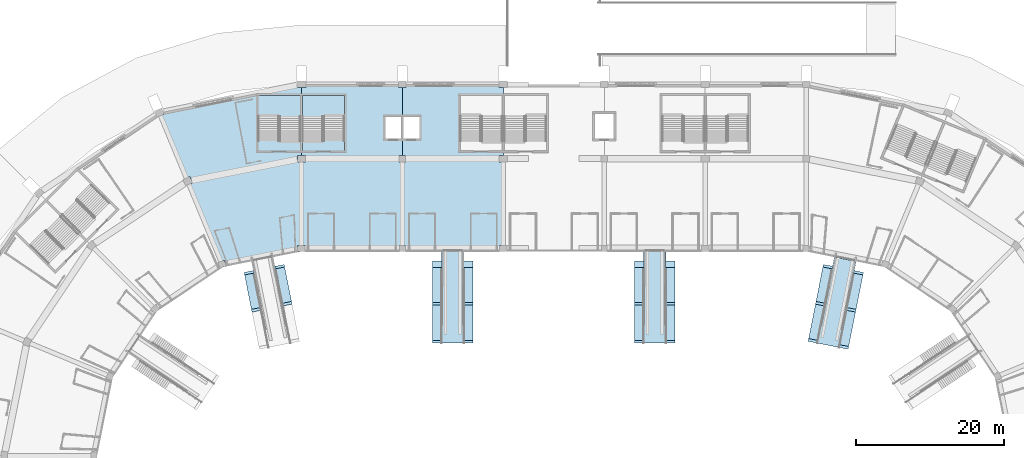
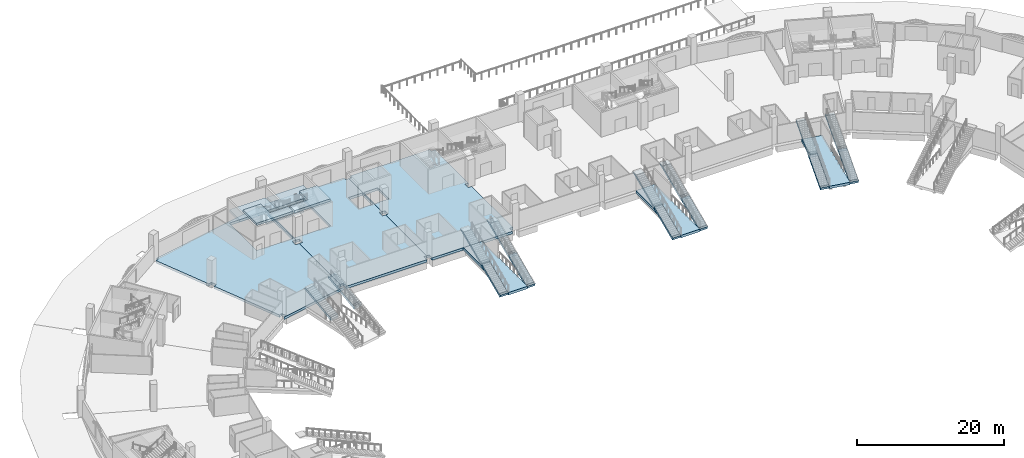
# One storey, part 22 of 175: 24 slabs, 2 elements without a shape of their own.
"""IFC4 building model written with IfcOpenShell, lengths in metres."""

from ifc_helpers import new_model, si_unit, direction, frame, origin, place, context, subcontext, project, spatial, polyline, outline, extrude, material, layer, layer_set, type_object, element, aggregate, save


model = new_model("IFC4")

# Units and contexts
model_context = context("Model", 3, precision=1e-05, world=origin(), true_north=direction((0.0, 1.0)))
body_context = subcontext(model_context, "Body", "Model", "MODEL_VIEW")
ifc_project = project(units=[si_unit("LENGTHUNIT", "METRE"), si_unit("AREAUNIT", "SQUARE_METRE"), si_unit("VOLUMEUNIT", "CUBIC_METRE"), si_unit("PLANEANGLEUNIT", "RADIAN"), si_unit("MASSUNIT", "GRAM", prefix="KILO")], contexts=[model_context])

# Site, building, storey
site_placement = place(None, origin())
site = spatial("IfcSite", under=ifc_project, at=site_placement, CompositionType="ELEMENT")
building_placement = place(site_placement, origin())
building = spatial("IfcBuilding", under=site, at=building_placement, Name="Ogive Plaza Stadium", CompositionType="ELEMENT")
storey_placement = place(building_placement, origin())
storey = spatial("IfcBuildingStorey", under=building, at=storey_placement, Name="L00", CompositionType="ELEMENT", Elevation=0.0)

# Slabs
ifc_material_1 = material(Name="Concrete C40/50", Category="concrete")
ifc_layer_1 = layer(ifc_material_1, 0.660888671875)
ifc_layer_set_1 = layer_set([ifc_layer_1], Name="Concrete C40/50")
ifc_layer_2 = layer(ifc_material_1, 0.449951171875)
ifc_layer_set_2 = layer_set([ifc_layer_2], Name="Concrete C40/50")
slab_type_1 = type_object("IfcSlabType", Name="Aisle stair slab 1300", PredefinedType="USERDEFINED", material=ifc_layer_set_2)
for number, where, z_axis, x_axis, name in (
    (1, (-35.890869140625, 72.7705078125, 0.0), (0.0, 0.0, 1.0), (-0.195090322016, 0.980785280403, 0.0), "Aisle stair SA31L slab 2"),
    (2, (-40.01025390625, 71.951171875, 0.0), (0.0, 0.0, 1.0), (-0.195090322016, 0.980785280403, 0.0), "Aisle stair SA31R slab 2"),
):
    element("IfcSlab", number, at=place(storey_placement, frame(where, z_axis=z_axis, x_axis=x_axis)), inside=storey, type_object=slab_type_1, material=ifc_layer_set_1, Name=name, ObjectType="AISLE STAIR SLAB", PredefinedType="USERDEFINED", context=body_context, shape_type="SweptSolid", body=[
        extrude(outline(polyline([(0.0, 2.25), (0.37158203125, 2.25), (5.10009765625, 4.336181640625), (5.446533203125, 4.336181640625), (5.446533203125, 4.077880859375), (5.39990234375, 4.057373046875), (5.25, 3.9912109375), (5.10009765625, 3.925048828125), (4.949951171875, 3.85888671875), (4.800048828125, 3.79248046875), (4.64990234375, 3.7265625), (4.5, 3.660400390625), (4.35009765625, 3.593994140625), (4.199951171875, 3.52783203125), (4.050048828125, 3.4619140625), (3.89990234375, 3.3955078125), (3.75, 3.329345703125), (3.60009765625, 3.26318359375), (3.449951171875, 3.197021484375), (3.300048828125, 3.130859375), (3.14990234375, 3.064697265625), (3.0, 2.99853515625), (2.85009765625, 2.932373046875), (2.699951171875, 2.8662109375), (2.550048828125, 2.800048828125), (2.39990234375, 2.73388671875), (2.25, 2.66748046875), (2.10009765625, 2.6015625), (1.949951171875, 2.535400390625), (1.800048828125, 2.468994140625), (1.64990234375, 2.40283203125), (1.5, 2.3369140625), (1.35009765625, 2.2705078125), (1.199951171875, 2.204345703125), (1.050048828125, 2.13818359375), (0.89990234375, 2.072021484375), (0.75, 2.005859375), (0.60009765625, 1.939697265625), (0.449951171875, 1.87353515625), (0.300048828125, 1.807373046875), (0.14990234375, 1.7412109375), (0.0, 1.675048828125), (0.0, 2.25)])), frame((0.0, 0.64990234375, 0.0), z_axis=(0.0, -1.0, 0.0), x_axis=(1.0, 0.0, 0.0)), (0.0, 0.0, 1.0), 1.300048828125),
    ])
ifc_layer_3 = layer(ifc_material_1, 0.52587890625)
ifc_layer_set_3 = layer_set([ifc_layer_3], Name="Concrete C40/50")
slab_1_placement = place(storey_placement, frame((-11.474853515625, 67.64990234375, 0.0), z_axis=(0.0, 0.0, 1.0), x_axis=(0.0, 1.0, 0.0)))
element("IfcSlab", 3, at=slab_1_placement, inside=storey, type_object=slab_type_1, material=ifc_layer_set_3, Name="Aisle stair SA33L slab 1", ObjectType="AISLE STAIR SLAB", PredefinedType="USERDEFINED", context=body_context, shape_type="SweptSolid", body=[
    extrude(outline(polyline([(0.0, 0.0), (0.37158203125, 0.0), (5.10009765625, 2.086181640625), (5.10009765625, 1.675048828125), (5.01220703125, 1.63623046875), (4.8623046875, 1.570068359375), (4.71240234375, 1.50390625), (4.562255859375, 1.437744140625), (4.412353515625, 1.37158203125), (4.26220703125, 1.305419921875), (4.1123046875, 1.2392578125), (3.96240234375, 1.173095703125), (3.812255859375, 1.10693359375), (3.662353515625, 1.040771484375), (3.51220703125, 0.974609375), (3.3623046875, 0.908447265625), (3.21240234375, 0.84228515625), (3.062255859375, 0.77587890625), (2.912353515625, 0.709716796875), (2.76220703125, 0.643798828125), (2.6123046875, 0.577392578125), (2.46240234375, 0.51123046875), (2.312255859375, 0.445068359375), (2.162353515625, 0.37890625), (2.01220703125, 0.312744140625), (1.8623046875, 0.24658203125), (1.71240234375, 0.180419921875), (1.562255859375, 0.1142578125), (1.412353515625, 0.048095703125), (1.26220703125, -0.01806640625), (1.1123046875, -0.084228515625), (0.96240234375, -0.150390625), (0.812255859375, -0.216552734375), (0.662353515625, -0.28271484375), (0.51220703125, -0.34912109375), (0.3623046875, -0.415283203125), (0.21240234375, -0.481201171875), (0.0, 0.0)])), frame((0.0, 0.624755859375, 0.0), z_axis=(0.0, -1.0, 0.0), x_axis=(1.0, 0.0, 0.0)), (0.0, 0.0, 1.0), 1.24951171875),
])
ifc_layer_4 = layer(ifc_material_1, 0.82373046875)
ifc_layer_set_4 = layer_set([ifc_layer_4], Name="Concrete C40/50")
slab_2_placement = place(storey_placement, frame((-11.5, 72.75, 0.0), z_axis=(0.0, 0.0, 1.0), x_axis=(0.0, 1.0, 0.0)))
element("IfcSlab", 4, at=slab_2_placement, inside=storey, type_object=slab_type_1, material=ifc_layer_set_4, Name="Aisle stair SA33L slab 2", ObjectType="AISLE STAIR SLAB", PredefinedType="USERDEFINED", context=body_context, shape_type="SweptSolid", body=[
    extrude(outline(polyline([(0.0, 2.25), (0.37158203125, 2.25), (5.10009765625, 4.336181640625), (5.949951171875, 4.336181640625), (5.949951171875, 4.300048828125), (5.85009765625, 4.255859375), (5.699951171875, 4.189697265625), (5.550048828125, 4.12353515625), (5.39990234375, 4.057373046875), (5.25, 3.9912109375), (5.10009765625, 3.925048828125), (4.949951171875, 3.85888671875), (4.800048828125, 3.79248046875), (4.64990234375, 3.7265625), (4.5, 3.660400390625), (4.35009765625, 3.593994140625), (4.199951171875, 3.52783203125), (4.050048828125, 3.4619140625), (3.89990234375, 3.3955078125), (3.75, 3.329345703125), (3.60009765625, 3.26318359375), (3.449951171875, 3.197021484375), (3.300048828125, 3.130859375), (3.14990234375, 3.064697265625), (3.0, 2.99853515625), (2.85009765625, 2.932373046875), (2.699951171875, 2.8662109375), (2.550048828125, 2.800048828125), (2.39990234375, 2.73388671875), (2.25, 2.66748046875), (2.10009765625, 2.6015625), (1.949951171875, 2.535400390625), (1.800048828125, 2.468994140625), (1.64990234375, 2.40283203125), (1.5, 2.3369140625), (1.35009765625, 2.2705078125), (1.199951171875, 2.204345703125), (1.050048828125, 2.13818359375), (0.89990234375, 2.072021484375), (0.75, 2.005859375), (0.60009765625, 1.939697265625), (0.449951171875, 1.87353515625), (0.300048828125, 1.807373046875), (0.14990234375, 1.7412109375), (0.0, 1.675048828125), (0.0, 2.25)])), frame((0.0, 0.64990234375, 0.0), z_axis=(0.0, -1.0, 0.0), x_axis=(1.0, 0.0, 0.0)), (0.0, 0.0, 1.0), 1.300048828125),
])
slab_3_placement = place(storey_placement, frame((-15.725341796875, 67.64990234375, 0.0), z_axis=(0.0, 0.0, 1.0), x_axis=(0.0, 1.0, 0.0)))
element("IfcSlab", 5, at=slab_3_placement, inside=storey, type_object=slab_type_1, material=ifc_layer_set_3, Name="Aisle stair SA33R slab 1", ObjectType="AISLE STAIR SLAB", PredefinedType="USERDEFINED", context=body_context, shape_type="SweptSolid", body=[
    extrude(outline(polyline([(0.0, 0.0), (0.37158203125, 0.0), (5.10009765625, 2.086181640625), (5.10009765625, 1.675048828125), (5.01220703125, 1.63623046875), (4.8623046875, 1.570068359375), (4.71240234375, 1.50390625), (4.562255859375, 1.437744140625), (4.412353515625, 1.37158203125), (4.26220703125, 1.305419921875), (4.1123046875, 1.2392578125), (3.96240234375, 1.173095703125), (3.812255859375, 1.10693359375), (3.662353515625, 1.040771484375), (3.51220703125, 0.974609375), (3.3623046875, 0.908447265625), (3.21240234375, 0.84228515625), (3.062255859375, 0.77587890625), (2.912353515625, 0.709716796875), (2.76220703125, 0.643798828125), (2.6123046875, 0.577392578125), (2.46240234375, 0.51123046875), (2.312255859375, 0.445068359375), (2.162353515625, 0.37890625), (2.01220703125, 0.312744140625), (1.8623046875, 0.24658203125), (1.71240234375, 0.180419921875), (1.562255859375, 0.1142578125), (1.412353515625, 0.048095703125), (1.26220703125, -0.01806640625), (1.1123046875, -0.084228515625), (0.96240234375, -0.150390625), (0.812255859375, -0.216552734375), (0.662353515625, -0.28271484375), (0.51220703125, -0.34912109375), (0.3623046875, -0.415283203125), (0.21240234375, -0.481201171875), (0.0, 0.0)])), frame((0.0, 0.624755859375, 0.0), z_axis=(0.0, -1.0, 0.0), x_axis=(1.0, 0.0, 0.0)), (0.0, 0.0, 1.0), 1.24951171875),
])
slab_4_placement = place(storey_placement, frame((-15.699951171875, 72.75, 0.0), z_axis=(0.0, 0.0, 1.0), x_axis=(0.0, 1.0, 0.0)))
element("IfcSlab", 6, at=slab_4_placement, inside=storey, type_object=slab_type_1, material=ifc_layer_set_4, Name="Aisle stair SA33R slab 2", ObjectType="AISLE STAIR SLAB", PredefinedType="USERDEFINED", context=body_context, shape_type="SweptSolid", body=[
    extrude(outline(polyline([(0.0, 2.25), (0.37158203125, 2.25), (5.10009765625, 4.336181640625), (5.949951171875, 4.336181640625), (5.949951171875, 4.300048828125), (5.85009765625, 4.255859375), (5.699951171875, 4.189697265625), (5.550048828125, 4.12353515625), (5.39990234375, 4.057373046875), (5.25, 3.9912109375), (5.10009765625, 3.925048828125), (4.949951171875, 3.85888671875), (4.800048828125, 3.79248046875), (4.64990234375, 3.7265625), (4.5, 3.660400390625), (4.35009765625, 3.593994140625), (4.199951171875, 3.52783203125), (4.050048828125, 3.4619140625), (3.89990234375, 3.3955078125), (3.75, 3.329345703125), (3.60009765625, 3.26318359375), (3.449951171875, 3.197021484375), (3.300048828125, 3.130859375), (3.14990234375, 3.064697265625), (3.0, 2.99853515625), (2.85009765625, 2.932373046875), (2.699951171875, 2.8662109375), (2.550048828125, 2.800048828125), (2.39990234375, 2.73388671875), (2.25, 2.66748046875), (2.10009765625, 2.6015625), (1.949951171875, 2.535400390625), (1.800048828125, 2.468994140625), (1.64990234375, 2.40283203125), (1.5, 2.3369140625), (1.35009765625, 2.2705078125), (1.199951171875, 2.204345703125), (1.050048828125, 2.13818359375), (0.89990234375, 2.072021484375), (0.75, 2.005859375), (0.60009765625, 1.939697265625), (0.449951171875, 1.87353515625), (0.300048828125, 1.807373046875), (0.14990234375, 1.7412109375), (0.0, 1.675048828125), (0.0, 2.25)])), frame((0.0, 0.64990234375, 0.0), z_axis=(0.0, -1.0, 0.0), x_axis=(1.0, 0.0, 0.0)), (0.0, 0.0, 1.0), 1.300048828125),
])
slab_5_placement = place(storey_placement, frame((15.725341796875, 67.64990234375, 0.0), z_axis=(0.0, 0.0, 1.0), x_axis=(0.0, 1.0, 0.0)))
element("IfcSlab", 7, at=slab_5_placement, inside=storey, type_object=slab_type_1, material=ifc_layer_set_3, Name="Aisle stair SA35L slab 1", ObjectType="AISLE STAIR SLAB", PredefinedType="USERDEFINED", context=body_context, shape_type="SweptSolid", body=[
    extrude(outline(polyline([(0.0, 0.0), (0.37158203125, 0.0), (5.10009765625, 2.086181640625), (5.10009765625, 1.675048828125), (5.01220703125, 1.63623046875), (4.8623046875, 1.570068359375), (4.71240234375, 1.50390625), (4.562255859375, 1.437744140625), (4.412353515625, 1.37158203125), (4.26220703125, 1.305419921875), (4.1123046875, 1.2392578125), (3.96240234375, 1.173095703125), (3.812255859375, 1.10693359375), (3.662353515625, 1.040771484375), (3.51220703125, 0.974609375), (3.3623046875, 0.908447265625), (3.21240234375, 0.84228515625), (3.062255859375, 0.77587890625), (2.912353515625, 0.709716796875), (2.76220703125, 0.643798828125), (2.6123046875, 0.577392578125), (2.46240234375, 0.51123046875), (2.312255859375, 0.445068359375), (2.162353515625, 0.37890625), (2.01220703125, 0.312744140625), (1.8623046875, 0.24658203125), (1.71240234375, 0.180419921875), (1.562255859375, 0.1142578125), (1.412353515625, 0.048095703125), (1.26220703125, -0.01806640625), (1.1123046875, -0.084228515625), (0.96240234375, -0.150390625), (0.812255859375, -0.216552734375), (0.662353515625, -0.28271484375), (0.51220703125, -0.34912109375), (0.3623046875, -0.415283203125), (0.21240234375, -0.481201171875), (0.0, 0.0)])), frame((0.0, 0.624755859375, 0.0), z_axis=(0.0, -1.0, 0.0), x_axis=(1.0, 0.0, 0.0)), (0.0, 0.0, 1.0), 1.24951171875),
])
slab_6_placement = place(storey_placement, frame((15.699951171875, 72.75, 0.0), z_axis=(0.0, 0.0, 1.0), x_axis=(0.0, 1.0, 0.0)))
element("IfcSlab", 8, at=slab_6_placement, inside=storey, type_object=slab_type_1, material=ifc_layer_set_4, Name="Aisle stair SA35L slab 2", ObjectType="AISLE STAIR SLAB", PredefinedType="USERDEFINED", context=body_context, shape_type="SweptSolid", body=[
    extrude(outline(polyline([(0.0, 2.25), (0.37158203125, 2.25), (5.10009765625, 4.336181640625), (5.949951171875, 4.336181640625), (5.949951171875, 4.300048828125), (5.85009765625, 4.255859375), (5.699951171875, 4.189697265625), (5.550048828125, 4.12353515625), (5.39990234375, 4.057373046875), (5.25, 3.9912109375), (5.10009765625, 3.925048828125), (4.949951171875, 3.85888671875), (4.800048828125, 3.79248046875), (4.64990234375, 3.7265625), (4.5, 3.660400390625), (4.35009765625, 3.593994140625), (4.199951171875, 3.52783203125), (4.050048828125, 3.4619140625), (3.89990234375, 3.3955078125), (3.75, 3.329345703125), (3.60009765625, 3.26318359375), (3.449951171875, 3.197021484375), (3.300048828125, 3.130859375), (3.14990234375, 3.064697265625), (3.0, 2.99853515625), (2.85009765625, 2.932373046875), (2.699951171875, 2.8662109375), (2.550048828125, 2.800048828125), (2.39990234375, 2.73388671875), (2.25, 2.66748046875), (2.10009765625, 2.6015625), (1.949951171875, 2.535400390625), (1.800048828125, 2.468994140625), (1.64990234375, 2.40283203125), (1.5, 2.3369140625), (1.35009765625, 2.2705078125), (1.199951171875, 2.204345703125), (1.050048828125, 2.13818359375), (0.89990234375, 2.072021484375), (0.75, 2.005859375), (0.60009765625, 1.939697265625), (0.449951171875, 1.87353515625), (0.300048828125, 1.807373046875), (0.14990234375, 1.7412109375), (0.0, 1.675048828125), (0.0, 2.25)])), frame((0.0, 0.64990234375, 0.0), z_axis=(0.0, -1.0, 0.0), x_axis=(1.0, 0.0, 0.0)), (0.0, 0.0, 1.0), 1.300048828125),
])
slab_7_placement = place(storey_placement, frame((11.474853515625, 67.64990234375, 0.0), z_axis=(0.0, 0.0, 1.0), x_axis=(0.0, 1.0, 0.0)))
element("IfcSlab", 9, at=slab_7_placement, inside=storey, type_object=slab_type_1, material=ifc_layer_set_3, Name="Aisle stair SA35R slab 1", ObjectType="AISLE STAIR SLAB", PredefinedType="USERDEFINED", context=body_context, shape_type="SweptSolid", body=[
    extrude(outline(polyline([(0.0, 0.0), (0.37158203125, 0.0), (5.10009765625, 2.086181640625), (5.10009765625, 1.675048828125), (5.01220703125, 1.63623046875), (4.8623046875, 1.570068359375), (4.71240234375, 1.50390625), (4.562255859375, 1.437744140625), (4.412353515625, 1.37158203125), (4.26220703125, 1.305419921875), (4.1123046875, 1.2392578125), (3.96240234375, 1.173095703125), (3.812255859375, 1.10693359375), (3.662353515625, 1.040771484375), (3.51220703125, 0.974609375), (3.3623046875, 0.908447265625), (3.21240234375, 0.84228515625), (3.062255859375, 0.77587890625), (2.912353515625, 0.709716796875), (2.76220703125, 0.643798828125), (2.6123046875, 0.577392578125), (2.46240234375, 0.51123046875), (2.312255859375, 0.445068359375), (2.162353515625, 0.37890625), (2.01220703125, 0.312744140625), (1.8623046875, 0.24658203125), (1.71240234375, 0.180419921875), (1.562255859375, 0.1142578125), (1.412353515625, 0.048095703125), (1.26220703125, -0.01806640625), (1.1123046875, -0.084228515625), (0.96240234375, -0.150390625), (0.812255859375, -0.216552734375), (0.662353515625, -0.28271484375), (0.51220703125, -0.34912109375), (0.3623046875, -0.415283203125), (0.21240234375, -0.481201171875), (0.0, 0.0)])), frame((0.0, 0.624755859375, 0.0), z_axis=(0.0, -1.0, 0.0), x_axis=(1.0, 0.0, 0.0)), (0.0, 0.0, 1.0), 1.24951171875),
])
slab_8_placement = place(storey_placement, frame((11.5, 72.75, 0.0), z_axis=(0.0, 0.0, 1.0), x_axis=(0.0, 1.0, 0.0)))
element("IfcSlab", 10, at=slab_8_placement, inside=storey, type_object=slab_type_1, material=ifc_layer_set_4, Name="Aisle stair SA35R slab 2", ObjectType="AISLE STAIR SLAB", PredefinedType="USERDEFINED", context=body_context, shape_type="SweptSolid", body=[
    extrude(outline(polyline([(0.0, 2.25), (0.37158203125, 2.25), (5.10009765625, 4.336181640625), (5.949951171875, 4.336181640625), (5.949951171875, 4.300048828125), (5.85009765625, 4.255859375), (5.699951171875, 4.189697265625), (5.550048828125, 4.12353515625), (5.39990234375, 4.057373046875), (5.25, 3.9912109375), (5.10009765625, 3.925048828125), (4.949951171875, 3.85888671875), (4.800048828125, 3.79248046875), (4.64990234375, 3.7265625), (4.5, 3.660400390625), (4.35009765625, 3.593994140625), (4.199951171875, 3.52783203125), (4.050048828125, 3.4619140625), (3.89990234375, 3.3955078125), (3.75, 3.329345703125), (3.60009765625, 3.26318359375), (3.449951171875, 3.197021484375), (3.300048828125, 3.130859375), (3.14990234375, 3.064697265625), (3.0, 2.99853515625), (2.85009765625, 2.932373046875), (2.699951171875, 2.8662109375), (2.550048828125, 2.800048828125), (2.39990234375, 2.73388671875), (2.25, 2.66748046875), (2.10009765625, 2.6015625), (1.949951171875, 2.535400390625), (1.800048828125, 2.468994140625), (1.64990234375, 2.40283203125), (1.5, 2.3369140625), (1.35009765625, 2.2705078125), (1.199951171875, 2.204345703125), (1.050048828125, 2.13818359375), (0.89990234375, 2.072021484375), (0.75, 2.005859375), (0.60009765625, 1.939697265625), (0.449951171875, 1.87353515625), (0.300048828125, 1.807373046875), (0.14990234375, 1.7412109375), (0.0, 1.675048828125), (0.0, 2.25)])), frame((0.0, 0.64990234375, 0.0), z_axis=(0.0, -1.0, 0.0), x_axis=(1.0, 0.0, 0.0)), (0.0, 0.0, 1.0), 1.300048828125),
])
slab_9_placement = place(storey_placement, frame((39.0400390625, 66.9443359375, 0.0), z_axis=(0.0, 0.0, 1.0), x_axis=(0.195090322016, 0.980785280403, 0.0)))
element("IfcSlab", 11, at=slab_9_placement, inside=storey, type_object=slab_type_1, material=ifc_layer_set_3, Name="Aisle stair SA37L slab 1", ObjectType="AISLE STAIR SLAB", PredefinedType="USERDEFINED", context=body_context, shape_type="SweptSolid", body=[
    extrude(outline(polyline([(0.0, 0.0), (0.37158203125, 0.0), (5.10009765625, 2.086181640625), (5.10009765625, 1.675048828125), (5.01220703125, 1.63623046875), (4.8623046875, 1.570068359375), (4.71240234375, 1.50390625), (4.562255859375, 1.437744140625), (4.412353515625, 1.37158203125), (4.26220703125, 1.305419921875), (4.1123046875, 1.2392578125), (3.96240234375, 1.173095703125), (3.812255859375, 1.10693359375), (3.662353515625, 1.040771484375), (3.51220703125, 0.974609375), (3.3623046875, 0.908447265625), (3.21240234375, 0.84228515625), (3.062255859375, 0.77587890625), (2.912353515625, 0.709716796875), (2.76220703125, 0.643798828125), (2.6123046875, 0.577392578125), (2.46240234375, 0.51123046875), (2.312255859375, 0.445068359375), (2.162353515625, 0.37890625), (2.01220703125, 0.312744140625), (1.8623046875, 0.24658203125), (1.71240234375, 0.180419921875), (1.562255859375, 0.1142578125), (1.412353515625, 0.048095703125), (1.26220703125, -0.01806640625), (1.1123046875, -0.084228515625), (0.96240234375, -0.150390625), (0.812255859375, -0.216552734375), (0.662353515625, -0.28271484375), (0.51220703125, -0.34912109375), (0.3623046875, -0.415283203125), (0.21240234375, -0.481201171875), (0.0, 0.0)])), frame((0.0, 0.624755859375, 0.0), z_axis=(0.0, -1.0, 0.0), x_axis=(1.0, 0.0, 0.0)), (0.0, 0.0, 1.0), 1.24951171875),
])
slab_10_placement = place(storey_placement, frame((40.01025390625, 71.951171875, 0.0), z_axis=(0.0, 0.0, 1.0), x_axis=(0.195090322016, 0.980785280403, 0.0)))
element("IfcSlab", 12, at=slab_10_placement, inside=storey, type_object=slab_type_1, material=ifc_layer_set_1, Name="Aisle stair SA37L slab 2", ObjectType="AISLE STAIR SLAB", PredefinedType="USERDEFINED", context=body_context, shape_type="SweptSolid", body=[
    extrude(outline(polyline([(0.0, 2.25), (0.37158203125, 2.25), (5.10009765625, 4.336181640625), (5.446533203125, 4.336181640625), (5.446533203125, 4.077880859375), (5.39990234375, 4.057373046875), (5.25, 3.9912109375), (5.10009765625, 3.925048828125), (4.949951171875, 3.85888671875), (4.800048828125, 3.79248046875), (4.64990234375, 3.7265625), (4.5, 3.660400390625), (4.35009765625, 3.593994140625), (4.199951171875, 3.52783203125), (4.050048828125, 3.4619140625), (3.89990234375, 3.3955078125), (3.75, 3.329345703125), (3.60009765625, 3.26318359375), (3.449951171875, 3.197021484375), (3.300048828125, 3.130859375), (3.14990234375, 3.064697265625), (3.0, 2.99853515625), (2.85009765625, 2.932373046875), (2.699951171875, 2.8662109375), (2.550048828125, 2.800048828125), (2.39990234375, 2.73388671875), (2.25, 2.66748046875), (2.10009765625, 2.6015625), (1.949951171875, 2.535400390625), (1.800048828125, 2.468994140625), (1.64990234375, 2.40283203125), (1.5, 2.3369140625), (1.35009765625, 2.2705078125), (1.199951171875, 2.204345703125), (1.050048828125, 2.13818359375), (0.89990234375, 2.072021484375), (0.75, 2.005859375), (0.60009765625, 1.939697265625), (0.449951171875, 1.87353515625), (0.300048828125, 1.807373046875), (0.14990234375, 1.7412109375), (0.0, 1.675048828125), (0.0, 2.25)])), frame((0.0, 0.64990234375, 0.0), z_axis=(0.0, -1.0, 0.0), x_axis=(1.0, 0.0, 0.0)), (0.0, 0.0, 1.0), 1.300048828125),
])
slab_11_placement = place(storey_placement, frame((34.87109375, 67.7734375, 0.0), z_axis=(0.0, 0.0, 1.0), x_axis=(0.195090322016, 0.980785280403, 0.0)))
element("IfcSlab", 13, at=slab_11_placement, inside=storey, type_object=slab_type_1, material=ifc_layer_set_3, Name="Aisle stair SA37R slab 1", ObjectType="AISLE STAIR SLAB", PredefinedType="USERDEFINED", context=body_context, shape_type="SweptSolid", body=[
    extrude(outline(polyline([(0.0, 0.0), (0.37158203125, 0.0), (5.10009765625, 2.086181640625), (5.10009765625, 1.675048828125), (5.01220703125, 1.63623046875), (4.8623046875, 1.570068359375), (4.71240234375, 1.50390625), (4.562255859375, 1.437744140625), (4.412353515625, 1.37158203125), (4.26220703125, 1.305419921875), (4.1123046875, 1.2392578125), (3.96240234375, 1.173095703125), (3.812255859375, 1.10693359375), (3.662353515625, 1.040771484375), (3.51220703125, 0.974609375), (3.3623046875, 0.908447265625), (3.21240234375, 0.84228515625), (3.062255859375, 0.77587890625), (2.912353515625, 0.709716796875), (2.76220703125, 0.643798828125), (2.6123046875, 0.577392578125), (2.46240234375, 0.51123046875), (2.312255859375, 0.445068359375), (2.162353515625, 0.37890625), (2.01220703125, 0.312744140625), (1.8623046875, 0.24658203125), (1.71240234375, 0.180419921875), (1.562255859375, 0.1142578125), (1.412353515625, 0.048095703125), (1.26220703125, -0.01806640625), (1.1123046875, -0.084228515625), (0.96240234375, -0.150390625), (0.812255859375, -0.216552734375), (0.662353515625, -0.28271484375), (0.51220703125, -0.34912109375), (0.3623046875, -0.415283203125), (0.21240234375, -0.481201171875), (0.0, 0.0)])), frame((0.0, 0.624755859375, 0.0), z_axis=(0.0, -1.0, 0.0), x_axis=(1.0, 0.0, 0.0)), (0.0, 0.0, 1.0), 1.24951171875),
])
slab_12_placement = place(storey_placement, frame((35.890869140625, 72.7705078125, 0.0), z_axis=(0.0, 0.0, 1.0), x_axis=(0.195090322016, 0.980785280403, 0.0)))
element("IfcSlab", 14, at=slab_12_placement, inside=storey, type_object=slab_type_1, material=ifc_layer_set_1, Name="Aisle stair SA37R slab 2", ObjectType="AISLE STAIR SLAB", PredefinedType="USERDEFINED", context=body_context, shape_type="SweptSolid", body=[
    extrude(outline(polyline([(0.0, 2.25), (0.37158203125, 2.25), (5.10009765625, 4.336181640625), (5.446533203125, 4.336181640625), (5.446533203125, 4.077880859375), (5.39990234375, 4.057373046875), (5.25, 3.9912109375), (5.10009765625, 3.925048828125), (4.949951171875, 3.85888671875), (4.800048828125, 3.79248046875), (4.64990234375, 3.7265625), (4.5, 3.660400390625), (4.35009765625, 3.593994140625), (4.199951171875, 3.52783203125), (4.050048828125, 3.4619140625), (3.89990234375, 3.3955078125), (3.75, 3.329345703125), (3.60009765625, 3.26318359375), (3.449951171875, 3.197021484375), (3.300048828125, 3.130859375), (3.14990234375, 3.064697265625), (3.0, 2.99853515625), (2.85009765625, 2.932373046875), (2.699951171875, 2.8662109375), (2.550048828125, 2.800048828125), (2.39990234375, 2.73388671875), (2.25, 2.66748046875), (2.10009765625, 2.6015625), (1.949951171875, 2.535400390625), (1.800048828125, 2.468994140625), (1.64990234375, 2.40283203125), (1.5, 2.3369140625), (1.35009765625, 2.2705078125), (1.199951171875, 2.204345703125), (1.050048828125, 2.13818359375), (0.89990234375, 2.072021484375), (0.75, 2.005859375), (0.60009765625, 1.939697265625), (0.449951171875, 1.87353515625), (0.300048828125, 1.807373046875), (0.14990234375, 1.7412109375), (0.0, 1.675048828125), (0.0, 2.25)])), frame((0.0, 0.64990234375, 0.0), z_axis=(0.0, -1.0, 0.0), x_axis=(1.0, 0.0, 0.0)), (0.0, 0.0, 1.0), 1.300048828125),
])
ifc_material_2 = material(Name="Concrete C40/50", Category="concrete")
ifc_layer_5 = layer(ifc_material_2, 0.409912109375)
ifc_layer_set_5 = layer_set([ifc_layer_5], Name="Concrete C40/50")
slab_type_2 = type_object("IfcSlabType", Name="RC floor slab 410", PredefinedType="FLOOR", material=ifc_layer_set_5)
slab_13_placement = place(storey_placement, frame((0.0, 0.0, -0.409912109375)))
element("IfcSlab", 15, at=slab_13_placement, inside=storey, type_object=slab_type_2, Name="Floor slab L00 B31", PredefinedType="FLOOR", context=body_context, shape_type="SweptSolid", body=[
    extrude(outline(polyline([(-34.0, 92.050048828125), (-34.550048828125, 92.050048828125), (-34.550048828125, 92.949951171875), (-34.0, 92.949951171875), (-34.0, 102.050048828125), (-34.60009765625, 102.050048828125), (-34.60009765625, 102.380615234375), (-52.584228515625, 98.803466796875), (-52.453857421875, 98.48876953125), (-52.9619140625, 98.2783203125), (-49.4794921875, 89.870849609375), (-49.017578125, 90.062255859375), (-48.673095703125, 89.230712890625), (-49.135009765625, 89.03955078125), (-44.829833984375, 78.645751953125), (-44.414306640625, 78.818115234375), (-44.108154296875, 78.078857421875), (-44.523681640625, 77.90673828125), (-34.0, 80.0), (-34.5, 80.0), (-34.5, 80.800048828125), (-34.0, 80.800048828125), (-34.0, 92.050048828125)]), holes=[polyline([(-34.125, 93.550048828125), (-34.125, 101.010009765625), (-39.824951171875, 101.010009765625), (-39.824951171875, 93.550048828125), (-34.125, 93.550048828125)])]), origin(), (0.0, 0.0, 1.0), 0.409912109375),
])
slab_14_placement = place(storey_placement, frame((0.0, 0.0, -0.409912109375)))
element("IfcSlab", 16, at=slab_14_placement, inside=storey, type_object=slab_type_2, Name="Floor slab L00 B32", PredefinedType="FLOOR", context=body_context, shape_type="SweptSolid", body=[
    extrude(outline(polyline([(-20.39990234375, 92.050048828125), (-20.85009765625, 92.050048828125), (-20.85009765625, 92.949951171875), (-20.39990234375, 92.949951171875), (-20.39990234375, 102.050048828125), (-20.89990234375, 102.050048828125), (-20.89990234375, 102.5), (-33.39990234375, 102.5), (-33.39990234375, 102.050048828125), (-34.0, 102.050048828125), (-34.0, 92.949951171875), (-33.449951171875, 92.949951171875), (-33.449951171875, 92.050048828125), (-34.0, 92.050048828125), (-34.0, 80.800048828125), (-33.5, 80.800048828125), (-33.5, 80.0), (-20.800048828125, 80.0), (-20.800048828125, 80.800048828125), (-20.39990234375, 80.800048828125), (-20.39990234375, 92.050048828125)]), holes=[polyline([(-20.52490234375, 95.14990234375), (-20.52490234375, 98.14990234375), (-22.72509765625, 98.14990234375), (-22.72509765625, 95.14990234375), (-20.52490234375, 95.14990234375)]), polyline([(-28.175048828125, 93.550048828125), (-28.175048828125, 101.010009765625), (-33.875, 101.010009765625), (-33.875, 93.550048828125), (-28.175048828125, 93.550048828125)])]), origin(), (0.0, 0.0, 1.0), 0.409912109375),
])
slab_15_placement = place(storey_placement, frame((0.0, 0.0, -0.409912109375)))
element("IfcSlab", 17, at=slab_15_placement, inside=storey, type_object=slab_type_2, Name="Floor slab L00 B33", PredefinedType="FLOOR", context=body_context, shape_type="SweptSolid", body=[
    extrude(outline(polyline([(-6.800048828125, 92.050048828125), (-7.35009765625, 92.050048828125), (-7.35009765625, 92.949951171875), (-6.800048828125, 92.949951171875), (-6.800048828125, 102.050048828125), (-7.39990234375, 102.050048828125), (-7.39990234375, 102.5), (-19.89990234375, 102.5), (-19.89990234375, 102.050048828125), (-20.39990234375, 102.050048828125), (-20.39990234375, 92.949951171875), (-19.949951171875, 92.949951171875), (-19.949951171875, 92.050048828125), (-20.39990234375, 92.050048828125), (-20.39990234375, 80.800048828125), (-20.0, 80.800048828125), (-20.0, 80.0), (-7.300048828125, 80.0), (-7.300048828125, 80.800048828125), (-6.800048828125, 80.800048828125), (-6.800048828125, 92.050048828125)]), holes=[polyline([(-18.074951171875, 95.14990234375), (-18.074951171875, 98.14990234375), (-20.27490234375, 98.14990234375), (-20.27490234375, 95.14990234375), (-18.074951171875, 95.14990234375)])]), origin(), (0.0, 0.0, 1.0), 0.409912109375),
])

# Stair, slabs
ifc_material_3 = material(Name="Concrete C40/50", Category="concrete")
stair_type = type_object("IfcStairType", Name="Exit stair", PredefinedType="STRAIGHT_RUN_STAIR", material=ifc_material_3)
stair_1_placement = place(storey_placement, origin())
stair_1 = element("IfcStair", 18, at=stair_1_placement, inside=storey, type_object=stair_type, Name="Exit stair ST32A L00 to L01", PredefinedType="STRAIGHT_RUN_STAIR")
ifc_material_4 = material(Name="Concrete C40/50", Category="concrete")
ifc_layer_6 = layer(ifc_material_4, 0.39990234375)
ifc_layer_set_6 = layer_set([ifc_layer_6], Name="Concrete C40/50")
slab_type_3 = type_object("IfcSlabType", Name="Stair landing", PredefinedType="LANDING", material=ifc_layer_set_6)
slab_16_placement = place(storey_placement, frame((0.0, 0.0, 1.85009765625)))
slab_16 = element("IfcSlab", 19, at=slab_16_placement, type_object=slab_type_3, Name="ST32A landing 1", PredefinedType="LANDING", context=body_context, shape_type="SweptSolid", body=[
    extrude(outline(polyline([(-33.875, 101.010009765625), (-28.175048828125, 101.010009765625), (-28.175048828125, 98.2099609375), (-31.074951171875, 98.2099609375), (-31.074951171875, 95.81005859375), (-33.875, 95.81005859375), (-33.875, 98.2099609375), (-33.875, 101.010009765625)])), origin(), (0.0, 0.0, 1.0), 0.39990234375),
])
slab_17_placement = place(storey_placement, frame((0.0, 0.0, 4.10009765625)))
slab_17 = element("IfcSlab", 20, at=slab_17_placement, type_object=slab_type_3, Name="ST32A landing 2", PredefinedType="LANDING", context=body_context, shape_type="SweptSolid", body=[
    extrude(outline(polyline([(-30.97509765625, 97.25), (-28.175048828125, 97.25), (-28.175048828125, 94.85009765625), (-28.175048828125, 93.550048828125), (-33.875, 93.550048828125), (-33.875, 94.85009765625), (-30.97509765625, 94.85009765625), (-30.97509765625, 97.25)])), origin(), (0.0, 0.0, 1.0), 0.39990234375),
])
aggregate(stair_1, [slab_16, slab_17])

stair_2_placement = place(storey_placement, origin())
stair_2 = element("IfcStair", 21, at=stair_2_placement, inside=storey, type_object=stair_type, Name="Exit stair ST32B L00 to L01", PredefinedType="STRAIGHT_RUN_STAIR")
slab_18_placement = place(storey_placement, frame((0.0, 0.0, 1.85009765625)))
slab_18 = element("IfcSlab", 22, at=slab_18_placement, type_object=slab_type_3, Name="ST32B landing 1", PredefinedType="LANDING", context=body_context, shape_type="SweptSolid", body=[
    extrude(outline(polyline([(-34.125, 95.81005859375), (-36.925048828125, 95.81005859375), (-36.925048828125, 98.2099609375), (-39.824951171875, 98.2099609375), (-39.824951171875, 101.010009765625), (-34.125, 101.010009765625), (-34.125, 98.2099609375), (-34.125, 95.81005859375)])), origin(), (0.0, 0.0, 1.0), 0.39990234375),
])
slab_19_placement = place(storey_placement, frame((0.0, 0.0, 4.10009765625)))
slab_19 = element("IfcSlab", 23, at=slab_19_placement, type_object=slab_type_3, Name="ST32B landing 2", PredefinedType="LANDING", context=body_context, shape_type="SweptSolid", body=[
    extrude(outline(polyline([(-34.125, 94.85009765625), (-34.125, 93.550048828125), (-39.824951171875, 93.550048828125), (-39.824951171875, 94.85009765625), (-39.824951171875, 97.25), (-37.02490234375, 97.25), (-37.02490234375, 94.85009765625), (-34.125, 94.85009765625)])), origin(), (0.0, 0.0, 1.0), 0.39990234375),
])
aggregate(stair_2, [slab_18, slab_19])

# Slabs
ifc_material_5 = material(Name="Concrete C40/50", Category="concrete")
ifc_layer_7 = layer(ifc_material_5, 0.409912109375)
ifc_layer_set_7 = layer_set([ifc_layer_7], Name="Concrete C40/50")
slab_type_4 = type_object("IfcSlabType", Name="Vomitory floor slab 410", PredefinedType="FLOOR", material=ifc_layer_set_7)
slab_20_placement = place(storey_placement, frame((0.0, 0.0, -0.409912109375)))
element("IfcSlab", 24, at=slab_20_placement, inside=storey, type_object=slab_type_4, Name="Vomitory floor B33", PredefinedType="FLOOR", context=body_context, shape_type="SweptSolid", body=[
    extrude(outline(polyline([(-12.10009765625, 67.64990234375), (-15.10009765625, 67.64990234375), (-15.10009765625, 80.0), (-12.10009765625, 80.0), (-12.10009765625, 67.64990234375)])), origin(), (0.0, 0.0, 1.0), 0.409912109375),
])
slab_21_placement = place(storey_placement, frame((0.0, 0.0, -0.409912109375)))
element("IfcSlab", 25, at=slab_21_placement, inside=storey, type_object=slab_type_4, Name="Vomitory floor B35", PredefinedType="FLOOR", context=body_context, shape_type="SweptSolid", body=[
    extrude(outline(polyline([(15.10009765625, 67.64990234375), (12.10009765625, 67.64990234375), (12.10009765625, 80.0), (15.10009765625, 80.0), (15.10009765625, 67.64990234375)])), origin(), (0.0, 0.0, 1.0), 0.409912109375),
])
slab_22_placement = place(storey_placement, frame((0.0, 0.0, -0.409912109375)))
element("IfcSlab", 26, at=slab_22_placement, inside=storey, type_object=slab_type_4, Name="Vomitory floor B37", PredefinedType="FLOOR", context=body_context, shape_type="SweptSolid", body=[
    extrude(outline(polyline([(38.4267578125, 67.066162109375), (35.484375, 67.651611328125), (37.790771484375, 79.24609375), (40.733154296875, 78.66064453125), (38.4267578125, 67.066162109375)])), origin(), (0.0, 0.0, 1.0), 0.409912109375),
])

save(model, "model.ifc")
